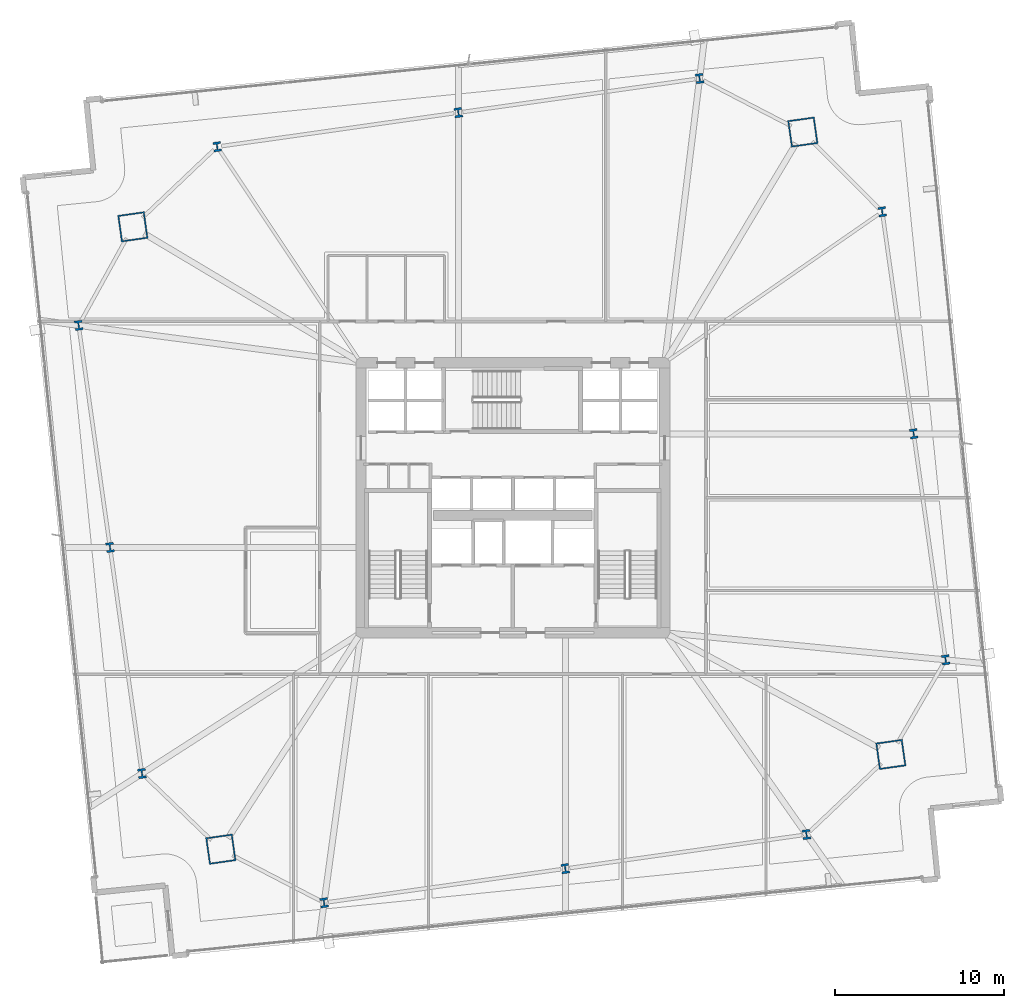
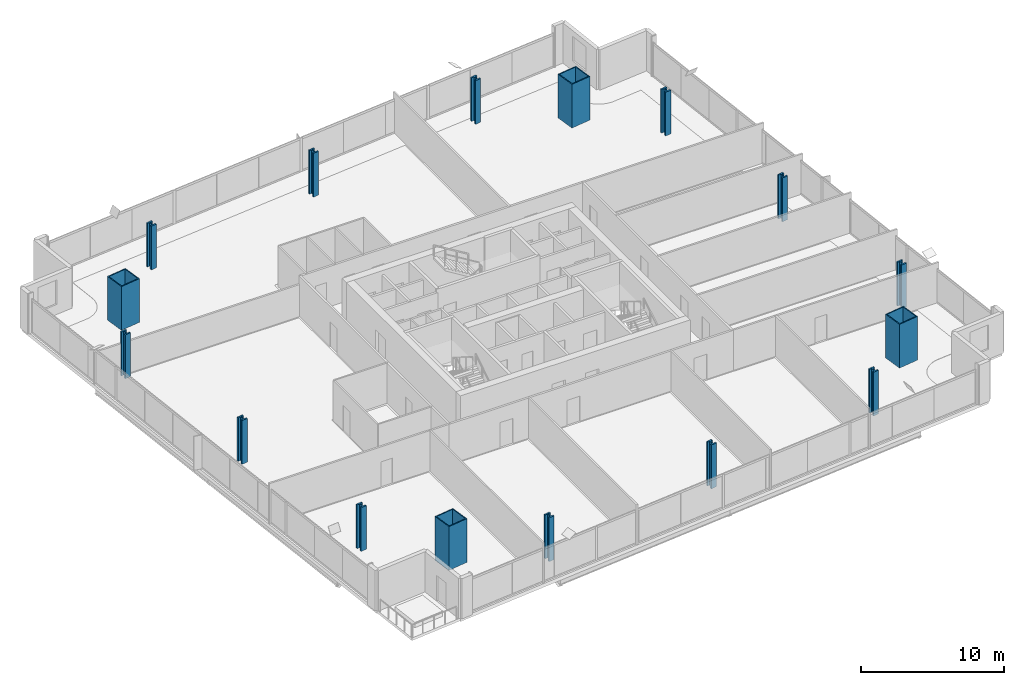
# One storey, part 1 of 33: 16 columns.
"""IFC4 building model written with IfcOpenShell, lengths in metres."""

from ifc_helpers import new_model, si_unit, direction, frame, origin, origin_2d, place, context, subcontext, project, spatial, hollow_rectangle, i_section, extrude, material, material_profile, profile_set, type_object, element, save


model = new_model("IFC4")

# Units and contexts
model_context = context("Model", 3, precision=1e-05, world=origin(), true_north=direction((0.0, 1.0)))
body_context = subcontext(model_context, "Body", "Model", "MODEL_VIEW")
ifc_project = project(units=[si_unit("LENGTHUNIT", "METRE"), si_unit("AREAUNIT", "SQUARE_METRE"), si_unit("VOLUMEUNIT", "CUBIC_METRE"), si_unit("PLANEANGLEUNIT", "RADIAN"), si_unit("MASSUNIT", "GRAM", prefix="KILO")], contexts=[model_context])

# Site, building, storey
site_placement = place(None, origin())
site = spatial("IfcSite", under=ifc_project, at=site_placement, CompositionType="ELEMENT")
building_placement = place(site_placement, origin())
building = spatial("IfcBuilding", under=site, at=building_placement, Name="Haldenkirk Collegiate Tower", CompositionType="ELEMENT")
storey_placement = place(building_placement, frame((0.0, 0.0, 47.699951171875)))
storey = spatial("IfcBuildingStorey", under=building, at=storey_placement, Name="L10", CompositionType="ELEMENT", Elevation=47.699951171875)

# Columns
ifc_material_1 = material(Name="Steel ASTM A913 Grade 65", Category="steel")
ifc_material_profile_1 = material_profile(ifc_material_1, i_section(OverallWidth=0.4541015625, OverallDepth=0.569091796875, WebThickness=0.077880859375, FlangeThickness=0.124755859375, at=origin_2d()), Name="W14X730")
ifc_profile_set_1 = profile_set([ifc_material_profile_1], Name="Steel ASTM A913 Grade 65")
column_type_1 = type_object("IfcColumnType", Name="COL-INT-W14X730", PredefinedType="COLUMN", material=ifc_profile_set_1)
for number, where, z_axis, x_axis, name in (
    (1, (24.815185546875, 1.997314453125, 0.0), (0.0, 0.0, 1.0), (0.990146240249, 0.140037219771, 0.0), "L10 perimeter gravity column PC-S1"),
    (2, (39.10888671875, 4.018798828125, 0.0), (0.0, 0.0, 1.0), (0.990146240249, 0.140037219771, 0.0), "L10 perimeter gravity column PC-S2"),
    (3, (53.402587890625, 6.040283203125, 0.0), (0.0, 0.0, 1.0), (0.990146240249, 0.140037219771, 0.0), "L10 perimeter gravity column PC-S3"),
    (4, (61.648193359375, 16.39306640625, 0.0), (0.0, 0.0, 1.0), (0.990146240249, 0.140037219771, 0.0), "L10 perimeter gravity column PC-E1"),
    (5, (59.75341796875, 29.788818359375, 0.0), (0.0, 0.0, 1.0), (0.990146240249, 0.140037219771, 0.0), "L10 perimeter gravity column PC-E2"),
    (6, (57.892333984375, 42.94873046875, 0.0), (0.0, 0.0, 1.0), (0.990146240249, 0.140037219771, 0.0), "L10 perimeter gravity column PC-E3"),
    (7, (47.06591796875, 50.844482421875, 0.0), (0.0, 0.0, 1.0), (0.990146240249, 0.140037219771, 0.0), "L10 perimeter gravity column PC-N1"),
    (8, (32.772216796875, 48.822998046875, 0.0), (0.0, 0.0, 1.0), (0.990146240249, 0.140037219771, 0.0), "L10 perimeter gravity column PC-N2"),
    (9, (18.478515625, 46.80126953125, 0.0), (0.0, 0.0, 1.0), (0.990146240249, 0.140037219771, 0.0), "L10 perimeter gravity column PC-N3"),
    (10, (10.26611328125, 36.212890625, 0.0), (0.0, 0.0, 1.0), (0.990146240249, 0.140037219771, 0.0), "L10 perimeter gravity column PC-W1"),
    (11, (12.12744140625, 23.052978515625, 0.0), (0.0, 0.0, 1.0), (0.990146240249, 0.140037219771, 0.0), "L10 perimeter gravity column PC-W2"),
    (12, (14.02197265625, 9.6572265625, 0.0), (0.0, 0.0, 1.0), (0.990146240249, 0.140037219771, 0.0), "L10 perimeter gravity column PC-W3"),
):
    element("IfcColumn", number, at=place(storey_placement, frame(where, z_axis=z_axis, x_axis=x_axis)), inside=storey, type_object=column_type_1, Name=name, PredefinedType="COLUMN", context=body_context, shape_type="SweptSolid", body=[
        extrude(i_section(OverallWidth=0.4541015625, OverallDepth=0.569091796875, WebThickness=0.077880859375, FlangeThickness=0.124755859375, at=origin_2d()), origin(), (0.0, 0.0, 1.0), 3.75),
    ])
ifc_material_2 = material(Name="Steel ASTM A572 Grade 50", Category="steel")
ifc_material_profile_2 = material_profile(ifc_material_2, hollow_rectangle(XDim=1.60009765625, YDim=1.60009765625, WallThickness=0.080078125, at=origin_2d()), Name="BOX1600X1600X80")
ifc_profile_set_2 = profile_set([ifc_material_profile_2], Name="Steel ASTM A572 Grade 50")
column_type_2 = type_object("IfcColumnType", Name="COL-MEGA-BOX1600X1600X80", PredefinedType="COLUMN", material=ifc_profile_set_2)
for number, where, z_axis, x_axis, name in (
    (13, (18.6962890625, 5.171630859375, 0.0), (0.0, 0.0, 1.0), (0.990146240249, 0.140037219771, 0.0), "L10 corner mega-column MC1"),
    (14, (58.401123046875, 10.787109375, 0.0), (0.0, 0.0, 1.0), (0.990146240249, 0.140037219771, 0.0), "L10 corner mega-column MC2"),
    (15, (53.184814453125, 47.669921875, 0.0), (0.0, 0.0, 1.0), (0.990146240249, 0.140037219771, 0.0), "L10 corner mega-column MC3"),
    (16, (13.47998046875, 42.054443359375, 0.0), (0.0, 0.0, 1.0), (0.990146240249, 0.140037219771, 0.0), "L10 corner mega-column MC4"),
):
    element("IfcColumn", number, at=place(storey_placement, frame(where, z_axis=z_axis, x_axis=x_axis)), inside=storey, type_object=column_type_2, Name=name, PredefinedType="COLUMN", context=body_context, shape_type="SweptSolid", body=[
        extrude(hollow_rectangle(XDim=1.60009765625, YDim=1.60009765625, WallThickness=0.080078125, at=origin_2d()), origin(), (0.0, 0.0, 1.0), 3.75),
    ])

save(model, "model.ifc")
